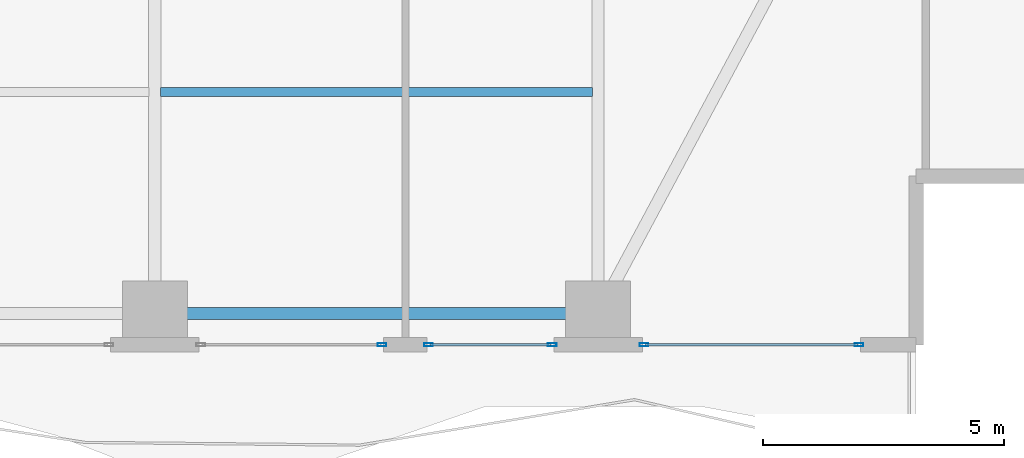
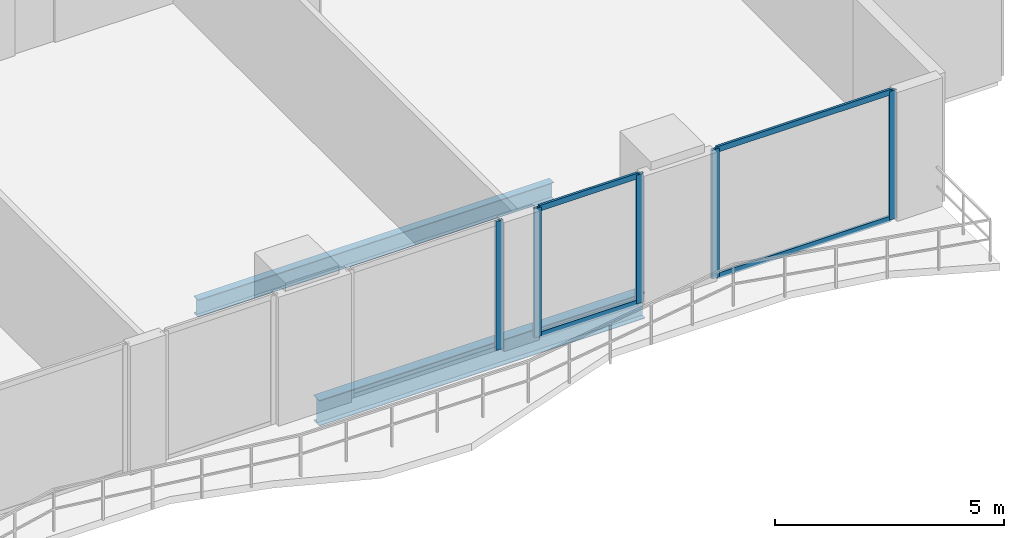
# One storey, part 9 of 27: 9 members, 2 beams, 3 elements without a shape of their own.
"""IFC4 building model written with IfcOpenShell, lengths in metres."""

from ifc_helpers import new_model, si_unit, direction, frame, origin, origin_2d, place, context, subcontext, project, spatial, hollow_rectangle, i_section, extrude, material, layer, layer_set, material_profile, profile_set, type_object, element, aggregate, save


model = new_model("IFC4")

# Units and contexts
model_context = context("Model", 3, precision=1e-05, world=origin(), true_north=direction((0.0, 1.0)))
body_context = subcontext(model_context, "Body", "Model", "MODEL_VIEW")
ifc_project = project(units=[si_unit("LENGTHUNIT", "METRE"), si_unit("AREAUNIT", "SQUARE_METRE"), si_unit("VOLUMEUNIT", "CUBIC_METRE"), si_unit("PLANEANGLEUNIT", "RADIAN"), si_unit("MASSUNIT", "GRAM", prefix="KILO")], contexts=[model_context])

# Site, building, storey
site_placement = place(None, origin())
site = spatial("IfcSite", under=ifc_project, at=site_placement, CompositionType="ELEMENT")
building_placement = place(site_placement, origin())
building = spatial("IfcBuilding", under=site, at=building_placement, Name="Zuhayl Quay Hotel", CompositionType="ELEMENT")
storey_placement = place(building_placement, frame((0.0, 0.0, 117.550048828125)))
storey = spatial("IfcBuildingStorey", under=building, at=storey_placement, Name="L29", CompositionType="ELEMENT", Elevation=117.550048828125)

# Beams
ifc_material_1 = material(Name="Steel ASTM A992 Grade 50", Category="steel")
ifc_material_profile_1 = material_profile(ifc_material_1, i_section(OverallWidth=0.25390625, OverallDepth=0.68310546875, WebThickness=0.012451171875, FlangeThickness=0.018798828125, at=origin_2d()), Name="W27X94")
ifc_profile_set_1 = profile_set([ifc_material_profile_1], Name="Steel ASTM A992 Grade 50")
beam_type_1 = type_object("IfcBeamType", Name="BM_B2_W27X94", PredefinedType="BEAM", material=ifc_profile_set_1)
beam_1_placement = place(storey_placement, frame((5.10009765625, -14.75, -0.5615234375), z_axis=(1.0, 0.0, 0.0), x_axis=(0.0, 1.0, 0.0)))
element("IfcBeam", 1, at=beam_1_placement, inside=storey, type_object=beam_type_1, Name="L29 Floor Beam RG_L29_03", PredefinedType="BEAM", context=body_context, shape_type="SweptSolid", body=[
    extrude(i_section(OverallWidth=0.25390625, OverallDepth=0.68310546875, WebThickness=0.012451171875, FlangeThickness=0.018798828125, at=origin_2d()), origin(), (0.0, 0.0, 1.0), 8.199951171875),
])
ifc_material_profile_2 = material_profile(ifc_material_1, i_section(OverallWidth=0.18994140625, OverallDepth=0.45703125, WebThickness=0.009033203125, FlangeThickness=0.014404296875, at=origin_2d()), Name="W18X50")
ifc_profile_set_2 = profile_set([ifc_material_profile_2], Name="Steel ASTM A992 Grade 50")
beam_type_2 = type_object("IfcBeamType", Name="BM_J2_W18X50", PredefinedType="JOIST", material=ifc_profile_set_2)
beam_2_placement = place(storey_placement, frame((4.718994140625, -10.14990234375, -0.448486328125), z_axis=(1.0, 0.0, 0.0), x_axis=(0.0, 1.0, 0.0)))
element("IfcBeam", 2, at=beam_2_placement, inside=storey, type_object=beam_type_2, Name="L29 Floor Beam FJ_L29_5_3", PredefinedType="JOIST", context=body_context, shape_type="SweptSolid", body=[
    extrude(i_section(OverallWidth=0.18994140625, OverallDepth=0.45703125, WebThickness=0.009033203125, FlangeThickness=0.014404296875, at=origin_2d()), origin(), (0.0, 0.0, 1.0), 8.9619140625),
])

# Curtain wall, members
ifc_material_2 = material(Name="Anodised Aluminium 6063-T6", Category="aluminium")
ifc_layer = layer(ifc_material_2, 0.179931640625, Name="Anodised Aluminium 6063-T6", Category="aluminium")
ifc_layer_set = layer_set([ifc_layer], Name="Anodised Aluminium 6063-T6")
curtain_wall_type = type_object("IfcCurtainWallType", Name="CW_SYS_Z2", PredefinedType="USERDEFINED", material=ifc_layer_set)
curtain_wall_1_placement = place(storey_placement, origin())
curtain_wall_1 = element("IfcCurtainWall", 3, at=curtain_wall_1_placement, inside=storey, type_object=curtain_wall_type, Name="L29 Curtain Wall ENV_L29_S_CW1", ObjectType="UNITISED CURTAIN WALL", PredefinedType="USERDEFINED")
ifc_material_3 = material(Name="Black-anodised aluminium 6063-T6", Category="aluminium")
ifc_material_profile_3 = material_profile(ifc_material_3, hollow_rectangle(XDim=0.06494140625, YDim=0.179931640625, WallThickness=0.00341796875, at=origin_2d()), Name="ALU180X65")
ifc_profile_set_3 = profile_set([ifc_material_profile_3], Name="Black-anodised aluminium 6063-T6")
member_type_1 = type_object("IfcMemberType", Name="MB_CW_MUL_180", PredefinedType="MULLION", material=ifc_profile_set_3)
member_1_placement = place(storey_placement, frame((19.217529296875, -15.39990234375, 0.0), z_axis=(0.0, 0.0, 1.0), x_axis=(0.0, -1.0, 0.0)))
member_1 = element("IfcMember", 4, at=member_1_placement, type_object=member_type_1, Name="CW-Z2 mullion 1", PredefinedType="MULLION", context=body_context, shape_type="SweptSolid", body=[
    extrude(hollow_rectangle(XDim=0.06494140625, YDim=0.179931640625, WallThickness=0.00341796875, at=origin_2d()), origin(), (0.0, 0.0, 1.0), 3.429931640625),
])
member_2_placement = place(storey_placement, frame((14.75244140625, -15.39990234375, 0.0), z_axis=(0.0, 0.0, 1.0), x_axis=(0.0, -1.0, 0.0)))
member_2 = element("IfcMember", 5, at=member_2_placement, type_object=member_type_1, Name="CW-Z2 mullion 2", PredefinedType="MULLION", context=body_context, shape_type="SweptSolid", body=[
    extrude(hollow_rectangle(XDim=0.06494140625, YDim=0.179931640625, WallThickness=0.00341796875, at=origin_2d()), origin(), (0.0, 0.0, 1.0), 3.429931640625),
])

curtain_wall_2_placement = place(storey_placement, origin())
curtain_wall_2 = element("IfcCurtainWall", 6, at=curtain_wall_2_placement, inside=storey, type_object=curtain_wall_type, Name="L29 Curtain Wall ENV_L29_S_CW2", ObjectType="UNITISED CURTAIN WALL", PredefinedType="USERDEFINED")
member_3_placement = place(storey_placement, frame((12.847412109375, -15.39990234375, 0.0), z_axis=(0.0, 0.0, 1.0), x_axis=(0.0, -1.0, 0.0)))
member_3 = element("IfcMember", 7, at=member_3_placement, type_object=member_type_1, Name="CW-Z2 mullion 1", PredefinedType="MULLION", context=body_context, shape_type="SweptSolid", body=[
    extrude(hollow_rectangle(XDim=0.06494140625, YDim=0.179931640625, WallThickness=0.00341796875, at=origin_2d()), origin(), (0.0, 0.0, 1.0), 3.429931640625),
])
member_4_placement = place(storey_placement, frame((10.282470703125, -15.39990234375, 0.0), z_axis=(0.0, 0.0, 1.0), x_axis=(0.0, -1.0, 0.0)))
member_4 = element("IfcMember", 8, at=member_4_placement, type_object=member_type_1, Name="CW-Z2 mullion 2", PredefinedType="MULLION", context=body_context, shape_type="SweptSolid", body=[
    extrude(hollow_rectangle(XDim=0.06494140625, YDim=0.179931640625, WallThickness=0.00341796875, at=origin_2d()), origin(), (0.0, 0.0, 1.0), 3.429931640625),
])

# Curtain wall, member
curtain_wall_3_placement = place(storey_placement, origin())
curtain_wall_3 = element("IfcCurtainWall", 9, at=curtain_wall_3_placement, inside=storey, type_object=curtain_wall_type, Name="L29 Curtain Wall ENV_L29_S_CW3", ObjectType="UNITISED CURTAIN WALL", PredefinedType="USERDEFINED")
member_5_placement = place(storey_placement, frame((9.3173828125, -15.39990234375, 0.0), z_axis=(0.0, 0.0, 1.0), x_axis=(0.0, -1.0, 0.0)))
member_5 = element("IfcMember", 10, at=member_5_placement, type_object=member_type_1, Name="CW-Z2 mullion 1", PredefinedType="MULLION", context=body_context, shape_type="SweptSolid", body=[
    extrude(hollow_rectangle(XDim=0.06494140625, YDim=0.179931640625, WallThickness=0.00341796875, at=origin_2d()), origin(), (0.0, 0.0, 1.0), 3.429931640625),
])
aggregate(curtain_wall_3, [member_5])

# Member
ifc_material_profile_4 = material_profile(ifc_material_3, hollow_rectangle(XDim=0.06005859375, YDim=0.14990234375, WallThickness=0.00341796875, at=origin_2d()), Name="ALU150X60")
ifc_profile_set_4 = profile_set([ifc_material_profile_4], Name="Black-anodised aluminium 6063-T6")
member_type_2 = type_object("IfcMemberType", Name="MB_CW_TRN_150", PredefinedType="USERDEFINED", material=ifc_profile_set_4)
member_6_placement = place(storey_placement, frame((19.18505859375, -15.39990234375, 0.030029296875), z_axis=(-1.0, 0.0, 0.0), x_axis=(0.0, -1.0, 0.0)))
member_6 = element("IfcMember", 11, at=member_6_placement, type_object=member_type_2, Name="CW-Z2 transom 1.1", ObjectType="TRANSOM", PredefinedType="USERDEFINED", context=body_context, shape_type="SweptSolid", body=[
    extrude(hollow_rectangle(XDim=0.06005859375, YDim=0.14990234375, WallThickness=0.00341796875, at=origin_2d()), origin(), (0.0, 0.0, 1.0), 4.400146484375),
])

member_7_placement = place(storey_placement, frame((19.18505859375, -15.39990234375, 3.39990234375), z_axis=(-1.0, 0.0, 0.0), x_axis=(0.0, -1.0, 0.0)))
member_7 = element("IfcMember", 12, at=member_7_placement, type_object=member_type_2, Name="CW-Z2 transom 1.2", ObjectType="TRANSOM", PredefinedType="USERDEFINED", context=body_context, shape_type="SweptSolid", body=[
    extrude(hollow_rectangle(XDim=0.06005859375, YDim=0.14990234375, WallThickness=0.00341796875, at=origin_2d()), origin(), (0.0, 0.0, 1.0), 4.400146484375),
])

aggregate(curtain_wall_1, [member_1, member_2, member_6, member_7])

member_8_placement = place(storey_placement, frame((12.81494140625, -15.39990234375, 0.030029296875), z_axis=(-1.0, 0.0, 0.0), x_axis=(0.0, -1.0, 0.0)))
member_8 = element("IfcMember", 13, at=member_8_placement, type_object=member_type_2, Name="CW-Z2 transom 1.1", ObjectType="TRANSOM", PredefinedType="USERDEFINED", context=body_context, shape_type="SweptSolid", body=[
    extrude(hollow_rectangle(XDim=0.06005859375, YDim=0.14990234375, WallThickness=0.00341796875, at=origin_2d()), origin(), (0.0, 0.0, 1.0), 2.5),
])

member_9_placement = place(storey_placement, frame((12.81494140625, -15.39990234375, 3.39990234375), z_axis=(-1.0, 0.0, 0.0), x_axis=(0.0, -1.0, 0.0)))
member_9 = element("IfcMember", 14, at=member_9_placement, type_object=member_type_2, Name="CW-Z2 transom 1.2", ObjectType="TRANSOM", PredefinedType="USERDEFINED", context=body_context, shape_type="SweptSolid", body=[
    extrude(hollow_rectangle(XDim=0.06005859375, YDim=0.14990234375, WallThickness=0.00341796875, at=origin_2d()), origin(), (0.0, 0.0, 1.0), 2.5),
])

aggregate(curtain_wall_2, [member_3, member_4, member_8, member_9])

save(model, "model.ifc")
